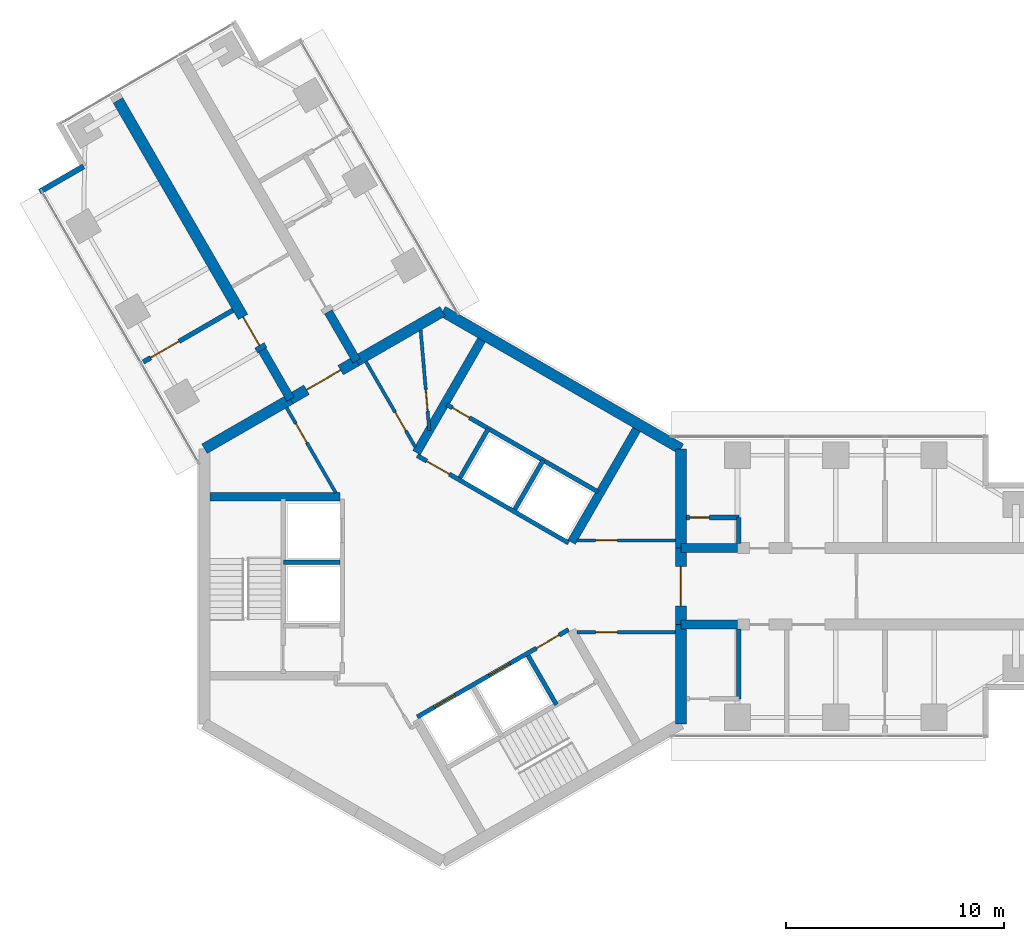
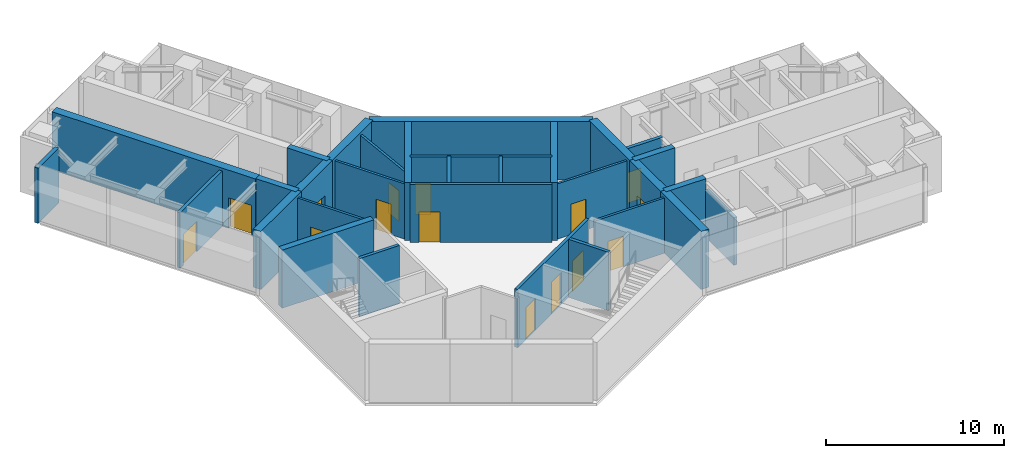
# One storey, part 12 of 17: 32 walls, 15 doors, 15 openings.
"""IFC4 building model written with IfcOpenShell, lengths in metres."""

from ifc_helpers import new_model, si_unit, direction, frame, frame_2d, origin, place, context, subcontext, project, spatial, rectangle, extrude, material, layer, layer_set, type_object, element, fill, save


model = new_model("IFC4")

# Units and contexts
model_context = context("Model", 3, precision=1e-05, world=origin(), true_north=direction((0.0, 1.0)))
body_context = subcontext(model_context, "Body", "Model", "MODEL_VIEW")
ifc_project = project(units=[si_unit("LENGTHUNIT", "METRE"), si_unit("AREAUNIT", "SQUARE_METRE"), si_unit("VOLUMEUNIT", "CUBIC_METRE"), si_unit("PLANEANGLEUNIT", "RADIAN"), si_unit("MASSUNIT", "GRAM", prefix="KILO")], contexts=[model_context])

# Site, building, storey
site_placement = place(None, origin())
site = spatial("IfcSite", under=ifc_project, at=site_placement, CompositionType="ELEMENT")
building_placement = place(site_placement, origin())
building = spatial("IfcBuilding", under=site, at=building_placement, Name="Upepo Twin Towers", CompositionType="ELEMENT")
storey_placement = place(building_placement, frame((0.0, 0.0, 186.5)))
storey = spatial("IfcBuildingStorey", under=building, at=storey_placement, Name="L45", CompositionType="ELEMENT", Elevation=186.5)

# Wall, opening, door
ifc_material_1 = material(Name="Concrete blockwork, plastered both faces", Category="masonry")
ifc_layer_1 = layer(ifc_material_1, 0.215087890625)
ifc_layer_set_1 = layer_set([ifc_layer_1], Name="Blockwork partition 215")
wall_type_1 = type_object("IfcWallType", Name="Blockwork partition 215", PredefinedType="PARTITIONING", material=ifc_layer_set_1)
wall_1_placement = place(storey_placement, frame((11.157958984375, 3.14990234375, 0.0), z_axis=(0.0, 0.0, 1.0), x_axis=(1.0, 0.0, 0.0)))
wall_1 = element("IfcWall", 1, at=wall_1_placement, inside=storey, type_object=wall_type_1, Name="T1 WC bay partition AL at 11.16", PredefinedType="PARTITIONING", context=body_context, shape_type="SweptSolid", body=[
    extrude(rectangle(XDim=2.400146484375, YDim=0.215087890625, at=frame_2d((1.2001953125, 0.0))), origin(), (0.0, 0.0, 1.0), 3.800048828125),
])
opening_1_placement = place(wall_1_placement, frame((0.14990234375, 0.0, 0.0)))
opening_1 = element("IfcOpeningElement", 2, at=opening_1_placement, cuts=wall_1, Name="Opening D14", PredefinedType="OPENING", context=body_context, shape_type="SweptSolid", body=[
    extrude(rectangle(XDim=0.89990234375, YDim=2.10009765625, at=frame_2d((0.449951171875, 1.050048828125))), frame((0.0, 0.117431640625, 0.0), z_axis=(0.0, -1.0, 0.0), x_axis=(1.0, 0.0, 0.0)), (0.0, 0.0, 1.0), 0.235107421875),
])
ifc_material_2 = material(Name="Timber doorset", Category="wood")
door_type_1 = type_object("IfcDoorType", Name="Office door 900 FD30", OperationType="SINGLE_SWING_LEFT", PredefinedType="DOOR", material=ifc_material_2)
door_1_placement = place(opening_1_placement, origin())
door_1 = element("IfcDoor", 3, at=door_1_placement, inside=storey, type_object=door_type_1, Name="T1 L45 WC bay inner room door", OperationType="SINGLE_SWING_LEFT", OverallHeight=2.10009765625, OverallWidth=0.89990234375, PredefinedType="DOOR", context=body_context, shape_type="SweptSolid", body=[
    extrude(rectangle(XDim=0.89990234375, YDim=2.10009765625, at=frame_2d((0.449951171875, 1.050048828125))), frame((0.0, 0.02490234375, 0.0), z_axis=(0.0, -1.0, 0.0), x_axis=(1.0, 0.0, 0.0)), (0.0, 0.0, 1.0), 0.050048828125),
])
fill(opening_1, door_1)

# Walls
wall_2_placement = place(storey_placement, frame((13.55810546875, 1.949951171875, 0.0), z_axis=(0.0, 0.0, 1.0), x_axis=(0.0, 1.0, 0.0)))
element("IfcWall", 4, at=wall_2_placement, inside=storey, type_object=wall_type_1, Name="T1 WC bay partition AL end at 13.56", PredefinedType="PARTITIONING", context=body_context, shape_type="SweptSolid", body=[
    extrude(rectangle(XDim=1.199951171875, YDim=0.215087890625, at=frame_2d((0.60009765625, 0.0))), origin(), (0.0, 0.0, 1.0), 3.266845703125),
])
wall_3_placement = place(storey_placement, frame((13.55810546875, -1.949951171875, 0.0), z_axis=(0.0, 0.0, 1.0), x_axis=(0.0, -1.0, 0.0)))
element("IfcWall", 5, at=wall_3_placement, inside=storey, type_object=wall_type_1, Name="T1 WC bay partition AR end at 13.56", PredefinedType="PARTITIONING", context=body_context, shape_type="SweptSolid", body=[
    extrude(rectangle(XDim=3.199951171875, YDim=0.215087890625, at=frame_2d((1.60009765625, 0.0))), origin(), (0.0, 0.0, 1.0), 3.266845703125),
])

# Wall, opening, door
wall_4_placement = place(storey_placement, frame((-9.60693359375, 12.639892578125, 0.0), z_axis=(0.0, 0.0, 1.0), x_axis=(-0.866033238375, -0.499986429846, 0.0)))
wall_4 = element("IfcWall", 6, at=wall_4_placement, inside=storey, type_object=wall_type_1, Name="T1 partition BL at 15.75", PredefinedType="PARTITIONING", context=body_context, shape_type="SweptSolid", body=[
    extrude(rectangle(XDim=4.750244140625, YDim=0.215087890625, at=frame_2d((2.375, 0.0))), origin(), (0.0, 0.0, 1.0), 3.800048828125),
])
opening_2_placement = place(wall_4_placement, frame((2.85009765625, 0.0, 0.0)))
opening_2 = element("IfcOpeningElement", 7, at=opening_2_placement, cuts=wall_4, Name="Opening D13", PredefinedType="OPENING", context=body_context, shape_type="SweptSolid", body=[
    extrude(rectangle(XDim=1.5, YDim=2.10009765625, at=frame_2d((0.75, 1.050048828125))), frame((0.0, 0.117431640625, 0.0), z_axis=(0.0, -1.0, 0.0), x_axis=(1.0, 0.0, 0.0)), (0.0, 0.0, 1.0), 0.235107421875),
])
ifc_material_3 = material(Name="Timber doorset", Category="wood")
door_type_2 = type_object("IfcDoorType", Name="Double door 1500 FD30", OperationType="DOUBLE_DOOR_SINGLE_SWING", PredefinedType="DOOR", material=ifc_material_3)
door_2_placement = place(opening_2_placement, origin())
door_2 = element("IfcDoor", 8, at=door_2_placement, inside=storey, type_object=door_type_2, Name="T1 L45 connecting door", OperationType="DOUBLE_DOOR_SINGLE_SWING", OverallHeight=2.10009765625, OverallWidth=1.5, PredefinedType="DOOR", context=body_context, shape_type="SweptSolid", body=[
    extrude(rectangle(XDim=1.5, YDim=2.10009765625, at=frame_2d((0.75, 1.050048828125))), frame((0.0, 0.02490234375, 0.0), z_axis=(0.0, -1.0, 0.0), x_axis=(1.0, 0.0, 0.0)), (0.0, 0.0, 1.0), 0.050048828125),
])
fill(opening_2, door_2)

# Walls
ifc_material_4 = material(Name="Concrete C60/75", Category="concrete")
ifc_layer_2 = layer(ifc_material_4, 0.39990234375)
ifc_layer_set_2 = layer_set([ifc_layer_2], Name="Concrete C60/75")
wall_type_2 = type_object("IfcWallType", Name="Buttress wall 400 RC", PredefinedType="SHEAR", material=ifc_layer_set_2)
for number, where, z_axis, x_axis, name in (
    (9, (10.908447265625, 1.75, 0.0), (0.0, 0.0, 1.0), (1.0, 0.0, 0.0), "T1 wing A buttress wall L"),
    (10, (10.908447265625, -1.75, 0.0), (0.0, 0.0, 1.0), (1.0, 0.0, 0.0), "T1 wing A buttress wall R"),
):
    element("IfcWall", number, at=place(storey_placement, frame(where, z_axis=z_axis, x_axis=x_axis)), inside=storey, type_object=wall_type_2, Name=name, PredefinedType="SHEAR", context=body_context, shape_type="SweptSolid", body=[
        extrude(rectangle(XDim=2.591552734375, YDim=0.39990234375, at=frame_2d((1.2958984375, 0.0))), origin(), (0.0, 0.0, 1.0), 4.0),
    ])
for number, where, z_axis, x_axis, name in (
    (11, (-6.9697265625, 8.57177734375, 0.0), (0.0, 0.0, 1.0), (-0.499988811324, 0.866031863473, 0.0), "T1 wing B buttress wall L"),
    (12, (-3.938720703125, 10.32177734375, 0.0), (0.0, 0.0, 1.0), (-0.499918158782, 0.866072649678, 0.0), "T1 wing B buttress wall R"),
):
    element("IfcWall", number, at=place(storey_placement, frame(where, z_axis=z_axis, x_axis=x_axis)), inside=storey, type_object=wall_type_2, Name=name, PredefinedType="SHEAR", context=body_context, shape_type="SweptSolid", body=[
        extrude(rectangle(XDim=2.591796875, YDim=0.39990234375, at=frame_2d((1.2958984375, 0.0))), origin(), (0.0, 0.0, 1.0), 4.0),
    ])

# Wall, opening, door
ifc_material_5 = material(Name="Concrete C60/75", Category="concrete")
ifc_layer_3 = layer(ifc_material_5, 0.5)
ifc_layer_set_3 = layer_set([ifc_layer_3], Name="Concrete C60/75")
wall_type_3 = type_object("IfcWallType", Name="Buttress wall 500 RC", PredefinedType="SHEAR", material=ifc_layer_set_3)
wall_5_placement = place(storey_placement, frame((-8.265625, 10.81640625, 0.0), z_axis=(0.0, 0.0, 1.0), x_axis=(-0.499996231654, 0.866027579429, 0.0)))
wall_5 = element("IfcWall", 13, at=wall_5_placement, inside=storey, type_object=wall_type_3, Name="T1 wing B buttress wall L part 2", PredefinedType="SHEAR", context=body_context, shape_type="SweptSolid", body=[
    extrude(rectangle(XDim=13.19970703125, YDim=0.5, at=frame_2d((6.599853515625, 0.0))), origin(), (0.0, 0.0, 1.0), 4.0),
])
opening_3_placement = place(wall_5_placement, frame((0.25, 0.0, 0.0)))
opening_3 = element("IfcOpeningElement", 14, at=opening_3_placement, cuts=wall_5, Name="Opening D13", PredefinedType="OPENING", context=body_context, shape_type="SweptSolid", body=[
    extrude(rectangle(XDim=1.5, YDim=2.10009765625, at=frame_2d((0.75, 1.050048828125))), frame((0.0, 0.260009765625, 0.0), z_axis=(0.0, -1.0, 0.0), x_axis=(1.0, 0.0, 0.0)), (0.0, 0.0, 1.0), 0.52001953125),
])
door_3_placement = place(opening_3_placement, origin())
door_3 = element("IfcDoor", 15, at=door_3_placement, inside=storey, type_object=door_type_2, Name="T1 L45 instrument room door", OperationType="DOUBLE_DOOR_SINGLE_SWING", OverallHeight=2.10009765625, OverallWidth=1.5, PredefinedType="DOOR", context=body_context, shape_type="SweptSolid", body=[
    extrude(rectangle(XDim=1.5, YDim=2.10009765625, at=frame_2d((0.75, 1.050048828125))), frame((0.0, 0.02490234375, 0.0), z_axis=(0.0, -1.0, 0.0), x_axis=(1.0, 0.0, 0.0)), (0.0, 0.0, 1.0), 0.050048828125),
])
fill(opening_3, door_3)

# Wall
ifc_material_6 = material(Name="Concrete C60/75", Category="concrete")
ifc_layer_4 = layer(ifc_material_6, 0.5)
ifc_layer_set_4 = layer_set([ifc_layer_4], Name="Concrete C60/75")
wall_type_4 = type_object("IfcWallType", Name="Core wall 500 RC", PredefinedType="SHEAR", material=ifc_layer_set_4)
wall_6_placement = place(storey_placement, frame((10.908447265625, -6.2978515625, 0.0), z_axis=(0.0, 0.0, 1.0), x_axis=(0.0, 1.0, 0.0)))
element("IfcWall", 16, at=wall_6_placement, inside=storey, type_object=wall_type_4, Name="T1 core wall 000 R", PredefinedType="SHEAR", context=body_context, shape_type="SweptSolid", body=[
    extrude(rectangle(XDim=4.5478515625, YDim=0.5, at=frame_2d((2.27392578125, 0.0))), origin(), (0.0, 0.0, 1.0), 4.0),
])

# Wall, opening, door
wall_7_placement = place(storey_placement, frame((10.908447265625, -1.75, 0.0), z_axis=(0.0, 0.0, 1.0), x_axis=(0.0, 1.0, 0.0)))
wall_7 = element("IfcWall", 17, at=wall_7_placement, inside=storey, type_object=wall_type_4, Name="T1 core wall 000", PredefinedType="SHEAR", context=body_context, shape_type="SweptSolid", body=[
    extrude(rectangle(XDim=3.5, YDim=0.5, at=frame_2d((1.75, 0.0))), origin(), (0.0, 0.0, 1.0), 4.0),
])
opening_4_placement = place(wall_7_placement, frame((0.85009765625, 0.0, 0.0)))
opening_4 = element("IfcOpeningElement", 18, at=opening_4_placement, cuts=wall_7, Name="Opening D2", PredefinedType="OPENING", context=body_context, shape_type="SweptSolid", body=[
    extrude(rectangle(XDim=1.800048828125, YDim=2.10009765625, at=frame_2d((0.89990234375, 1.050048828125))), frame((0.0, 0.260009765625, 0.0), z_axis=(0.0, -1.0, 0.0), x_axis=(1.0, 0.0, 0.0)), (0.0, 0.0, 1.0), 0.52001953125),
])
ifc_material_7 = material(Name="Timber doorset", Category="wood")
door_type_3 = type_object("IfcDoorType", Name="Corridor double door 1800 FD60", OperationType="DOUBLE_DOOR_DOUBLE_SWING", PredefinedType="DOOR", material=ifc_material_7)
door_4_placement = place(opening_4_placement, origin())
door_4 = element("IfcDoor", 19, at=door_4_placement, inside=storey, type_object=door_type_3, Name="T1 L45 wing A corridor door", OperationType="DOUBLE_DOOR_DOUBLE_SWING", OverallHeight=2.10009765625, OverallWidth=1.800048828125, PredefinedType="DOOR", context=body_context, shape_type="SweptSolid", body=[
    extrude(rectangle(XDim=1.800048828125, YDim=2.10009765625, at=frame_2d((0.89990234375, 1.050048828125))), frame((0.0, 0.02490234375, 0.0), z_axis=(0.0, -1.0, 0.0), x_axis=(1.0, 0.0, 0.0)), (0.0, 0.0, 1.0), 0.050048828125),
])
fill(opening_4, door_4)

# Walls
wall_8_placement = place(storey_placement, frame((10.908447265625, 1.75, 0.0), z_axis=(0.0, 0.0, 1.0), x_axis=(0.0, 1.0, 0.0)))
element("IfcWall", 20, at=wall_8_placement, inside=storey, type_object=wall_type_4, Name="T1 core wall 000 L", PredefinedType="SHEAR", context=body_context, shape_type="SweptSolid", body=[
    extrude(rectangle(XDim=4.5478515625, YDim=0.5, at=frame_2d((2.27392578125, 0.0))), origin(), (0.0, 0.0, 1.0), 4.0),
])
wall_9_placement = place(storey_placement, frame((10.908447265625, 6.2978515625, 0.0), z_axis=(0.0, 0.0, 1.0), x_axis=(-0.866021940709, 0.500005998175, 0.0)))
element("IfcWall", 21, at=wall_9_placement, inside=storey, type_object=wall_type_4, Name="T1 core wall 060", PredefinedType="SHEAR", context=body_context, shape_type="SweptSolid", body=[
    extrude(rectangle(XDim=12.595947265625, YDim=0.5, at=frame_2d((6.2978515625, 0.0))), origin(), (0.0, 0.0, 1.0), 4.0),
])
wall_10_placement = place(storey_placement, frame((0.0, 12.595947265625, 0.0), z_axis=(0.0, 0.0, 1.0), x_axis=(-0.866011268655, -0.500024481964, 0.0)))
element("IfcWall", 22, at=wall_10_placement, inside=storey, type_object=wall_type_4, Name="T1 core wall 120 R", PredefinedType="SHEAR", context=body_context, shape_type="SweptSolid", body=[
    extrude(rectangle(XDim=4.548095703125, YDim=0.5, at=frame_2d((2.27392578125, 0.0))), origin(), (0.0, 0.0, 1.0), 4.0),
])

# Wall, opening, door
wall_11_placement = place(storey_placement, frame((-3.938720703125, 10.32177734375, 0.0), z_axis=(0.0, 0.0, 1.0), x_axis=(-0.866019471182, -0.500010275428, 0.0)))
wall_11 = element("IfcWall", 23, at=wall_11_placement, inside=storey, type_object=wall_type_4, Name="T1 core wall 120", PredefinedType="SHEAR", context=body_context, shape_type="SweptSolid", body=[
    extrude(rectangle(XDim=3.5, YDim=0.5, at=frame_2d((1.75, 0.0))), origin(), (0.0, 0.0, 1.0), 4.0),
])
opening_5_placement = place(wall_11_placement, frame((0.85009765625, 0.0, 0.0)))
opening_5 = element("IfcOpeningElement", 24, at=opening_5_placement, cuts=wall_11, Name="Opening D2", PredefinedType="OPENING", context=body_context, shape_type="SweptSolid", body=[
    extrude(rectangle(XDim=1.800048828125, YDim=2.10009765625, at=frame_2d((0.89990234375, 1.050048828125))), frame((0.0, 0.260009765625, 0.0), z_axis=(0.0, -1.0, 0.0), x_axis=(1.0, 0.0, 0.0)), (0.0, 0.0, 1.0), 0.52001953125),
])
door_5_placement = place(opening_5_placement, origin())
door_5 = element("IfcDoor", 25, at=door_5_placement, inside=storey, type_object=door_type_3, Name="T1 L45 wing B corridor door", OperationType="DOUBLE_DOOR_DOUBLE_SWING", OverallHeight=2.10009765625, OverallWidth=1.800048828125, PredefinedType="DOOR", context=body_context, shape_type="SweptSolid", body=[
    extrude(rectangle(XDim=1.800048828125, YDim=2.10009765625, at=frame_2d((0.89990234375, 1.050048828125))), frame((0.0, 0.02490234375, 0.0), z_axis=(0.0, -1.0, 0.0), x_axis=(1.0, 0.0, 0.0)), (0.0, 0.0, 1.0), 0.050048828125),
])
fill(opening_5, door_5)

# Walls
wall_12_placement = place(storey_placement, frame((-6.9697265625, 8.57177734375, 0.0), z_axis=(0.0, 0.0, 1.0), x_axis=(-0.866034513004, -0.499984222037, 0.0)))
element("IfcWall", 26, at=wall_12_placement, inside=storey, type_object=wall_type_4, Name="T1 core wall 120 L", PredefinedType="SHEAR", context=body_context, shape_type="SweptSolid", body=[
    extrude(rectangle(XDim=4.548095703125, YDim=0.5, at=frame_2d((2.27392578125, 0.0))), origin(), (0.0, 0.0, 1.0), 4.0),
])
ifc_material_8 = material(Name="Blockwork with anodised aluminium cladding", Category="masonry")
ifc_layer_5 = layer(ifc_material_8, 0.25)
ifc_layer_set_5 = layer_set([ifc_layer_5], Name="Notch cladding wall 250, pale metal")
wall_type_5 = type_object("IfcWallType", Name="Notch cladding wall 250, pale metal", PredefinedType="STANDARD", material=ifc_layer_set_5)
wall_13_placement = place(storey_placement, frame((-18.456298828125, 18.0673828125, 0.0), z_axis=(0.0, 0.0, 1.0), x_axis=(0.865998469481, 0.500046648681, 0.0)))
element("IfcWall", 27, at=wall_13_placement, inside=storey, type_object=wall_type_5, Name="T1 L45 wing B notch wall L1", PredefinedType="STANDARD", context=body_context, shape_type="SweptSolid", body=[
    extrude(rectangle(XDim=2.324951171875, YDim=0.25, at=frame_2d((1.16259765625, 0.0))), origin(), (0.0, 0.0, 1.0), 3.800048828125),
])

# Wall, opening, door
ifc_material_9 = material(Name="Concrete C40/50", Category="concrete")
ifc_layer_6 = layer(ifc_material_9, 0.199951171875)
ifc_layer_set_6 = layer_set([ifc_layer_6], Name="Concrete C40/50")
wall_type_6 = type_object("IfcWallType", Name="Shaft wall 200 RC", PredefinedType="SHEAR", material=ifc_layer_set_6)
wall_14_placement = place(storey_placement, frame((5.76416015625, 1.983642578125, 0.0), z_axis=(0.0, 0.0, 1.0), x_axis=(-0.866026010844, 0.49999894854, 0.0)))
wall_14 = element("IfcWall", 28, at=wall_14_placement, inside=storey, type_object=wall_type_6, Name="T1 core W60 front wall", PredefinedType="SHEAR", context=body_context, shape_type="SweptSolid", body=[
    extrude(rectangle(XDim=8.0, YDim=0.199951171875, at=frame_2d((4.0, 0.0))), origin(), (0.0, 0.0, 1.0), 4.0),
])
opening_6_placement = place(wall_14_placement, frame((6.300048828125, 0.0, 0.0)))
opening_6 = element("IfcOpeningElement", 29, at=opening_6_placement, cuts=wall_14, Name="Opening D4", PredefinedType="OPENING", context=body_context, shape_type="SweptSolid", body=[
    extrude(rectangle(XDim=1.199951171875, YDim=2.10009765625, at=frame_2d((0.60009765625, 1.050048828125))), frame((0.0, 0.10986328125, 0.0), z_axis=(0.0, -1.0, 0.0), x_axis=(1.0, 0.0, 0.0)), (0.0, 0.0, 1.0), 0.219970703125),
])
ifc_material_10 = material(Name="Timber doorset", Category="wood")
door_type_4 = type_object("IfcDoorType", Name="Lobby door 1200 FD60", OperationType="SINGLE_SWING_LEFT", PredefinedType="DOOR", material=ifc_material_10)
door_6_placement = place(opening_6_placement, origin())
door_6 = element("IfcDoor", 30, at=door_6_placement, inside=storey, type_object=door_type_4, Name="T1 L45 W60 lobby door", OperationType="SINGLE_SWING_RIGHT", OverallHeight=2.10009765625, OverallWidth=1.199951171875, PredefinedType="DOOR", context=body_context, shape_type="SweptSolid", body=[
    extrude(rectangle(XDim=1.199951171875, YDim=2.10009765625, at=frame_2d((0.60009765625, 1.050048828125))), frame((0.0, 0.02490234375, 0.0), z_axis=(0.0, -1.0, 0.0), x_axis=(1.0, 0.0, 0.0)), (0.0, 0.0, 1.0), 0.050048828125),
])
fill(opening_6, door_6)

# Walls
for number, where, z_axis, x_axis, name in (
    (31, (3.302734375, 3.520263671875, 0.0), (0.0, 0.0, 1.0), (0.499936506574, 0.866062058628, 0.0), "T1 core W60 shaft divider"),
    (32, (0.791259765625, 4.97021484375, 0.0), (0.0, 0.0, 1.0), (0.499936506574, 0.866062058628, 0.0), "T1 core W60 lobby wall"),
):
    element("IfcWall", number, at=place(storey_placement, frame(where, z_axis=z_axis, x_axis=x_axis)), inside=storey, type_object=wall_type_6, Name=name, PredefinedType="SHEAR", context=body_context, shape_type="SweptSolid", body=[
        extrude(rectangle(XDim=2.599853515625, YDim=0.199951171875, at=frame_2d((1.2998046875, 0.0))), origin(), (0.0, 0.0, 1.0), 4.0),
    ])

# Wall, opening, door
wall_15_placement = place(storey_placement, frame((7.114013671875, 4.322021484375, 0.0), z_axis=(0.0, 0.0, 1.0), x_axis=(-0.866026010844, 0.49999894854, 0.0)))
wall_15 = element("IfcWall", 33, at=wall_15_placement, inside=storey, type_object=wall_type_6, Name="T1 core W60 stair wall", PredefinedType="SHEAR", context=body_context, shape_type="SweptSolid", body=[
    extrude(rectangle(XDim=8.0, YDim=0.199951171875, at=frame_2d((4.0, 0.0))), origin(), (0.0, 0.0, 1.0), 4.0),
])
opening_7_placement = place(wall_15_placement, frame((6.800048828125, 0.0, 0.0)))
opening_7 = element("IfcOpeningElement", 34, at=opening_7_placement, cuts=wall_15, Name="Opening D9", PredefinedType="OPENING", context=body_context, shape_type="SweptSolid", body=[
    extrude(rectangle(XDim=0.89990234375, YDim=2.10009765625, at=frame_2d((0.449951171875, 1.050048828125))), frame((0.0, 0.10986328125, 0.0), z_axis=(0.0, -1.0, 0.0), x_axis=(1.0, 0.0, 0.0)), (0.0, 0.0, 1.0), 0.219970703125),
])
ifc_material_11 = material(Name="Timber doorset", Category="wood")
door_type_5 = type_object("IfcDoorType", Name="Riser door 900 FD60", OperationType="SINGLE_SWING_LEFT", PredefinedType="DOOR", material=ifc_material_11)
door_7_placement = place(opening_7_placement, origin())
door_7 = element("IfcDoor", 35, at=door_7_placement, inside=storey, type_object=door_type_5, Name="T1 L45 riser door", OperationType="SINGLE_SWING_RIGHT", OverallHeight=2.10009765625, OverallWidth=0.89990234375, PredefinedType="DOOR", context=body_context, shape_type="SweptSolid", body=[
    extrude(rectangle(XDim=0.89990234375, YDim=2.10009765625, at=frame_2d((0.449951171875, 1.050048828125))), frame((0.0, 0.02490234375, 0.0), z_axis=(0.0, -1.0, 0.0), x_axis=(1.0, 0.0, 0.0)), (0.0, 0.0, 1.0), 0.050048828125),
])
fill(opening_7, door_7)

# Wall
wall_16_placement = place(storey_placement, frame((-4.699951171875, 1.10009765625, 0.0), z_axis=(0.0, 0.0, 1.0), x_axis=(-1.0, 0.0, 0.0)))
element("IfcWall", 36, at=wall_16_placement, inside=storey, type_object=wall_type_6, Name="T1 core W180 shaft divider", PredefinedType="SHEAR", context=body_context, shape_type="SweptSolid", body=[
    extrude(rectangle(XDim=2.60009765625, YDim=0.199951171875, at=frame_2d((1.300048828125, 0.0))), origin(), (0.0, 0.0, 1.0), 4.0),
])

# Wall, openings, doors
wall_17_placement = place(storey_placement, frame((-1.1640625, -5.983642578125, 0.0), z_axis=(0.0, 0.0, 1.0), x_axis=(0.866026010844, 0.49999894854, 0.0)))
wall_17 = element("IfcWall", 37, at=wall_17_placement, inside=storey, type_object=wall_type_6, Name="T1 core W300 front wall", PredefinedType="SHEAR", context=body_context, shape_type="SweptSolid", body=[
    extrude(rectangle(XDim=8.0, YDim=0.199951171875, at=frame_2d((4.0, 0.0))), origin(), (0.0, 0.0, 1.0), 4.0),
])
opening_8_placement = place(wall_17_placement, frame((6.300048828125, 0.0, 0.0)))
opening_8 = element("IfcOpeningElement", 38, at=opening_8_placement, cuts=wall_17, Name="Opening D4", PredefinedType="OPENING", context=body_context, shape_type="SweptSolid", body=[
    extrude(rectangle(XDim=1.199951171875, YDim=2.10009765625, at=frame_2d((0.60009765625, 1.050048828125))), frame((0.0, 0.10986328125, 0.0), z_axis=(0.0, -1.0, 0.0), x_axis=(1.0, 0.0, 0.0)), (0.0, 0.0, 1.0), 0.219970703125),
])
opening_9_placement = place(wall_17_placement, frame((0.89990234375, 0.0, 0.0)))
opening_9 = element("IfcOpeningElement", 39, at=opening_9_placement, cuts=wall_17, Name="Opening LD1", PredefinedType="OPENING", context=body_context, shape_type="SweptSolid", body=[
    extrude(rectangle(XDim=1.10009765625, YDim=2.199951171875, at=frame_2d((0.550048828125, 1.10009765625))), frame((0.0, 0.10986328125, 0.0), z_axis=(0.0, -1.0, 0.0), x_axis=(1.0, 0.0, 0.0)), (0.0, 0.0, 1.0), 0.219970703125),
])
opening_10_placement = place(wall_17_placement, frame((3.800048828125, 0.0, 0.0)))
opening_10 = element("IfcOpeningElement", 40, at=opening_10_placement, cuts=wall_17, Name="Opening LD1", PredefinedType="OPENING", context=body_context, shape_type="SweptSolid", body=[
    extrude(rectangle(XDim=1.10009765625, YDim=2.199951171875, at=frame_2d((0.550048828125, 1.10009765625))), frame((0.0, 0.10986328125, 0.0), z_axis=(0.0, -1.0, 0.0), x_axis=(1.0, 0.0, 0.0)), (0.0, 0.0, 1.0), 0.219970703125),
])
ifc_material_12 = material(Name="Steel doorset", Category="steel")
door_type_6 = type_object("IfcDoorType", Name="Lift landing door 1100", OperationType="DOUBLE_DOOR_SLIDING", PredefinedType="DOOR", material=ifc_material_12)
door_8_placement = place(opening_9_placement, origin())
door_8 = element("IfcDoor", 41, at=door_8_placement, inside=storey, type_object=door_type_6, Name="T1 L45 lift UL1 landing door", OperationType="DOUBLE_DOOR_SLIDING", OverallHeight=2.199951171875, OverallWidth=1.10009765625, PredefinedType="DOOR", context=body_context, shape_type="SweptSolid", body=[
    extrude(rectangle(XDim=1.10009765625, YDim=2.199951171875, at=frame_2d((0.550048828125, 1.10009765625))), frame((0.0, 0.02490234375, 0.0), z_axis=(0.0, -1.0, 0.0), x_axis=(1.0, 0.0, 0.0)), (0.0, 0.0, 1.0), 0.050048828125),
])
fill(opening_9, door_8)
door_9_placement = place(opening_10_placement, origin())
door_9 = element("IfcDoor", 42, at=door_9_placement, inside=storey, type_object=door_type_6, Name="T1 L45 lift UL2 landing door", OperationType="DOUBLE_DOOR_SLIDING", OverallHeight=2.199951171875, OverallWidth=1.10009765625, PredefinedType="DOOR", context=body_context, shape_type="SweptSolid", body=[
    extrude(rectangle(XDim=1.10009765625, YDim=2.199951171875, at=frame_2d((0.550048828125, 1.10009765625))), frame((0.0, 0.02490234375, 0.0), z_axis=(0.0, -1.0, 0.0), x_axis=(1.0, 0.0, 0.0)), (0.0, 0.0, 1.0), 0.050048828125),
])
fill(opening_10, door_9)
door_10_placement = place(opening_8_placement, origin())
door_10 = element("IfcDoor", 43, at=door_10_placement, inside=storey, type_object=door_type_4, Name="T1 L45 W300 lobby door", OperationType="SINGLE_SWING_RIGHT", OverallHeight=2.10009765625, OverallWidth=1.199951171875, PredefinedType="DOOR", context=body_context, shape_type="SweptSolid", body=[
    extrude(rectangle(XDim=1.199951171875, YDim=2.10009765625, at=frame_2d((0.60009765625, 1.050048828125))), frame((0.0, 0.02490234375, 0.0), z_axis=(0.0, -1.0, 0.0), x_axis=(1.0, 0.0, 0.0)), (0.0, 0.0, 1.0), 0.050048828125),
])
fill(opening_8, door_10)

# Walls
wall_18_placement = place(storey_placement, frame((3.908935546875, -3.17041015625, 0.0), z_axis=(0.0, 0.0, 1.0), x_axis=(0.49997716683, -0.86603858612, 0.0)))
element("IfcWall", 44, at=wall_18_placement, inside=storey, type_object=wall_type_6, Name="T1 core W300 lobby wall", PredefinedType="SHEAR", context=body_context, shape_type="SweptSolid", body=[
    extrude(rectangle(XDim=2.599609375, YDim=0.199951171875, at=frame_2d((1.2998046875, 0.0))), origin(), (0.0, 0.0, 1.0), 4.0),
])
ifc_material_13 = material(Name="Concrete C40/50", Category="concrete")
ifc_layer_7 = layer(ifc_material_13, 0.39990234375)
ifc_layer_set_7 = layer_set([ifc_layer_7], Name="Concrete C40/50")
wall_type_7 = type_object("IfcWallType", Name="Shaft wall 400 RC", PredefinedType="SHEAR", material=ifc_layer_set_7)
wall_19_placement = place(storey_placement, frame((-1.20068359375, 6.120361328125, 0.0), z_axis=(0.0, 0.0, 1.0), x_axis=(0.500021575205, 0.866012946976, 0.0)))
element("IfcWall", 45, at=wall_19_placement, inside=storey, type_object=wall_type_7, Name="T1 core W60 side wall N", PredefinedType="SHEAR", context=body_context, shape_type="SweptSolid", body=[
    extrude(rectangle(XDim=5.958251953125, YDim=0.39990234375, at=frame_2d((2.97900390625, 0.0))), origin(), (0.0, 0.0, 1.0), 4.0),
])
for number, where, z_axis, x_axis, name in (
    (46, (5.900634765625, 2.020263671875, 0.0), (0.0, 0.0, 1.0), (0.500003832394, 0.86602319114, 0.0), "T1 core W60 side wall S"),
    (47, (-4.699951171875, 4.10009765625, 0.0), (0.0, 0.0, 1.0), (-1.0, 0.0, 0.0), "T1 core W180 side wall S"),
):
    element("IfcWall", number, at=place(storey_placement, frame(where, z_axis=z_axis, x_axis=x_axis)), inside=storey, type_object=wall_type_7, Name=name, PredefinedType="SHEAR", context=body_context, shape_type="SweptSolid", body=[
        extrude(rectangle(XDim=5.95849609375, YDim=0.39990234375, at=frame_2d((2.979248046875, 0.0))), origin(), (0.0, 0.0, 1.0), 4.0),
    ])

# Wall, opening, door
ifc_material_14 = material(Name="Gypsum board on steel studs", Category="steel")
ifc_layer_8 = layer(ifc_material_14, 0.14990234375)
ifc_layer_set_8 = layer_set([ifc_layer_8], Name="Teaching partition 150 acoustic")
wall_type_8 = type_object("IfcWallType", Name="Teaching partition 150 acoustic", PredefinedType="PARTITIONING", material=ifc_layer_set_8)
wall_20_placement = place(storey_placement, frame((-4.889892578125, 4.269775390625, 0.0), z_axis=(0.0, 0.0, 1.0), x_axis=(-0.500032211057, 0.866006805923, 0.0)))
wall_20 = element("IfcWall", 48, at=wall_20_placement, inside=storey, type_object=wall_type_8, Name="T1 core room partition 4", PredefinedType="PARTITIONING", context=body_context, shape_type="SweptSolid", body=[
    extrude(rectangle(XDim=4.525634765625, YDim=0.14990234375, at=frame_2d((2.2626953125, 0.0))), origin(), (0.0, 0.0, 1.0), 3.800048828125),
])
opening_11_placement = place(wall_20_placement, frame((2.66796875, 0.0, 0.0)))
opening_11 = element("IfcOpeningElement", 49, at=opening_11_placement, cuts=wall_20, Name="Opening D1", PredefinedType="OPENING", context=body_context, shape_type="SweptSolid", body=[
    extrude(rectangle(XDim=1.0, YDim=2.10009765625, at=frame_2d((0.5, 1.050048828125))), frame((0.0, 0.0849609375, 0.0), z_axis=(0.0, -1.0, 0.0), x_axis=(1.0, 0.0, 0.0)), (0.0, 0.0, 1.0), 0.169921875),
])
ifc_material_15 = material(Name="Timber doorset", Category="wood")
door_type_7 = type_object("IfcDoorType", Name="Room door 1000 FD30", OperationType="SINGLE_SWING_LEFT", PredefinedType="DOOR", material=ifc_material_15)
door_11_placement = place(opening_11_placement, origin())
door_11 = element("IfcDoor", 50, at=door_11_placement, inside=storey, type_object=door_type_7, Name="T1 L45 core room door K6", OperationType="SINGLE_SWING_RIGHT", OverallHeight=2.10009765625, OverallWidth=1.0, PredefinedType="DOOR", context=body_context, shape_type="SweptSolid", body=[
    extrude(rectangle(XDim=1.0, YDim=2.10009765625, at=frame_2d((0.5, 1.050048828125))), frame((0.0, 0.02490234375, 0.0), z_axis=(0.0, -1.0, 0.0), x_axis=(1.0, 0.0, 0.0)), (0.0, 0.0, 1.0), 0.050048828125),
])
fill(opening_11, door_11)

wall_21_placement = place(storey_placement, frame((-3.515380859375, 10.2890625, 0.0), z_axis=(0.0, 0.0, 1.0), x_axis=(0.499968392031, -0.866043651885, 0.0)))
wall_21 = element("IfcWall", 51, at=wall_21_placement, inside=storey, type_object=wall_type_8, Name="T1 core room partition 5", PredefinedType="PARTITIONING", context=body_context, shape_type="SweptSolid", body=[
    extrude(rectangle(XDim=4.525634765625, YDim=0.14990234375, at=frame_2d((2.2626953125, 0.0))), origin(), (0.0, 0.0, 1.0), 3.800048828125),
])
opening_12_placement = place(wall_21_placement, frame((2.66796875, 0.0, 0.0)))
opening_12 = element("IfcOpeningElement", 52, at=opening_12_placement, cuts=wall_21, Name="Opening D1", PredefinedType="OPENING", context=body_context, shape_type="SweptSolid", body=[
    extrude(rectangle(XDim=1.0, YDim=2.10009765625, at=frame_2d((0.5, 1.050048828125))), frame((0.0, 0.0849609375, 0.0), z_axis=(0.0, -1.0, 0.0), x_axis=(1.0, 0.0, 0.0)), (0.0, 0.0, 1.0), 0.169921875),
])
door_12_placement = place(opening_12_placement, origin())
door_12 = element("IfcDoor", 53, at=door_12_placement, inside=storey, type_object=door_type_7, Name="T1 L45 core room door K4", OperationType="SINGLE_SWING_RIGHT", OverallHeight=2.10009765625, OverallWidth=1.0, PredefinedType="DOOR", context=body_context, shape_type="SweptSolid", body=[
    extrude(rectangle(XDim=1.0, YDim=2.10009765625, at=frame_2d((0.5, 1.050048828125))), frame((0.0, 0.02490234375, 0.0), z_axis=(0.0, -1.0, 0.0), x_axis=(1.0, 0.0, 0.0)), (0.0, 0.0, 1.0), 0.050048828125),
])
fill(opening_12, door_12)

wall_22_placement = place(storey_placement, frame((6.142578125, 2.10009765625, 0.0), z_axis=(0.0, 0.0, 1.0), x_axis=(1.0, 0.0, 0.0)))
wall_22 = element("IfcWall", 54, at=wall_22_placement, inside=storey, type_object=wall_type_8, Name="T1 core room partition 6", PredefinedType="PARTITIONING", context=body_context, shape_type="SweptSolid", body=[
    extrude(rectangle(XDim=4.525634765625, YDim=0.14990234375, at=frame_2d((2.2626953125, 0.0))), origin(), (0.0, 0.0, 1.0), 3.800048828125),
])
opening_13_placement = place(wall_22_placement, frame((0.857666015625, 0.0, 0.0)))
opening_13 = element("IfcOpeningElement", 55, at=opening_13_placement, cuts=wall_22, Name="Opening D1", PredefinedType="OPENING", context=body_context, shape_type="SweptSolid", body=[
    extrude(rectangle(XDim=1.0, YDim=2.10009765625, at=frame_2d((0.5, 1.050048828125))), frame((0.0, 0.0849609375, 0.0), z_axis=(0.0, -1.0, 0.0), x_axis=(1.0, 0.0, 0.0)), (0.0, 0.0, 1.0), 0.169921875),
])
door_13_placement = place(opening_13_placement, origin())
door_13 = element("IfcDoor", 56, at=door_13_placement, inside=storey, type_object=door_type_7, Name="T1 L45 core room door K3", OperationType="SINGLE_SWING_LEFT", OverallHeight=2.10009765625, OverallWidth=1.0, PredefinedType="DOOR", context=body_context, shape_type="SweptSolid", body=[
    extrude(rectangle(XDim=1.0, YDim=2.10009765625, at=frame_2d((0.5, 1.050048828125))), frame((0.0, 0.02490234375, 0.0), z_axis=(0.0, -1.0, 0.0), x_axis=(1.0, 0.0, 0.0)), (0.0, 0.0, 1.0), 0.050048828125),
])
fill(opening_13, door_13)

wall_23_placement = place(storey_placement, frame((10.668212890625, -2.10009765625, 0.0), z_axis=(0.0, 0.0, 1.0), x_axis=(-1.0, 0.0, 0.0)))
wall_23 = element("IfcWall", 57, at=wall_23_placement, inside=storey, type_object=wall_type_8, Name="T1 core room partition 7", PredefinedType="PARTITIONING", context=body_context, shape_type="SweptSolid", body=[
    extrude(rectangle(XDim=4.525634765625, YDim=0.14990234375, at=frame_2d((2.2626953125, 0.0))), origin(), (0.0, 0.0, 1.0), 3.800048828125),
])
opening_14_placement = place(wall_23_placement, frame((2.66796875, 0.0, 0.0)))
opening_14 = element("IfcOpeningElement", 58, at=opening_14_placement, cuts=wall_23, Name="Opening D1", PredefinedType="OPENING", context=body_context, shape_type="SweptSolid", body=[
    extrude(rectangle(XDim=1.0, YDim=2.10009765625, at=frame_2d((0.5, 1.050048828125))), frame((0.0, 0.0849609375, 0.0), z_axis=(0.0, -1.0, 0.0), x_axis=(1.0, 0.0, 0.0)), (0.0, 0.0, 1.0), 0.169921875),
])
door_14_placement = place(opening_14_placement, origin())
door_14 = element("IfcDoor", 59, at=door_14_placement, inside=storey, type_object=door_type_7, Name="T1 L45 core room door K2", OperationType="SINGLE_SWING_RIGHT", OverallHeight=2.10009765625, OverallWidth=1.0, PredefinedType="DOOR", context=body_context, shape_type="SweptSolid", body=[
    extrude(rectangle(XDim=1.0, YDim=2.10009765625, at=frame_2d((0.5, 1.050048828125))), frame((0.0, 0.02490234375, 0.0), z_axis=(0.0, -1.0, 0.0), x_axis=(1.0, 0.0, 0.0)), (0.0, 0.0, 1.0), 0.050048828125),
])
fill(opening_14, door_14)

wall_24_placement = place(storey_placement, frame((-0.614013671875, 7.13623046875, 0.0), z_axis=(0.0, 0.0, 1.0), x_axis=(-0.085774026317, 0.996314617181, 0.0)))
wall_24 = element("IfcWall", 60, at=wall_24_placement, inside=storey, type_object=wall_type_8, Name="T1 core room partition 9", PredefinedType="PARTITIONING", context=body_context, shape_type="SweptSolid", body=[
    extrude(rectangle(XDim=4.60546875, YDim=0.14990234375, at=frame_2d((2.302734375, 0.0))), origin(), (0.0, 0.0, 1.0), 3.800048828125),
])
opening_15_placement = place(wall_24_placement, frame((0.881591796875, 0.0, 0.0)))
opening_15 = element("IfcOpeningElement", 61, at=opening_15_placement, cuts=wall_24, Name="Opening D1", PredefinedType="OPENING", context=body_context, shape_type="SweptSolid", body=[
    extrude(rectangle(XDim=1.0, YDim=2.10009765625, at=frame_2d((0.5, 1.050048828125))), frame((0.0, 0.0849609375, 0.0), z_axis=(0.0, -1.0, 0.0), x_axis=(1.0, 0.0, 0.0)), (0.0, 0.0, 1.0), 0.169921875),
])
door_15_placement = place(opening_15_placement, origin())
door_15 = element("IfcDoor", 62, at=door_15_placement, inside=storey, type_object=door_type_7, Name="T1 L45 core room door K5", OperationType="SINGLE_SWING_LEFT", OverallHeight=2.10009765625, OverallWidth=1.0, PredefinedType="DOOR", context=body_context, shape_type="SweptSolid", body=[
    extrude(rectangle(XDim=1.0, YDim=2.10009765625, at=frame_2d((0.5, 1.050048828125))), frame((0.0, 0.02490234375, 0.0), z_axis=(0.0, -1.0, 0.0), x_axis=(1.0, 0.0, 0.0)), (0.0, 0.0, 1.0), 0.050048828125),
])
fill(opening_15, door_15)

save(model, "model.ifc")
